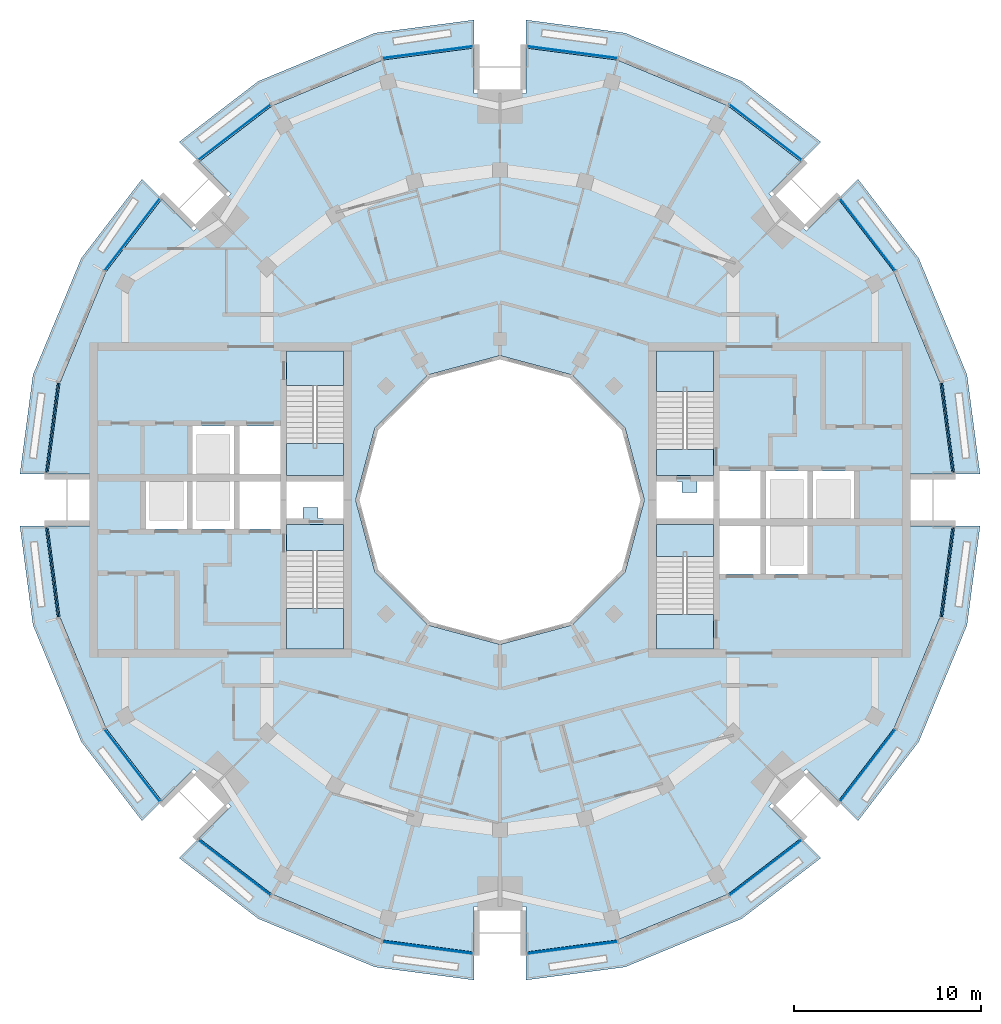
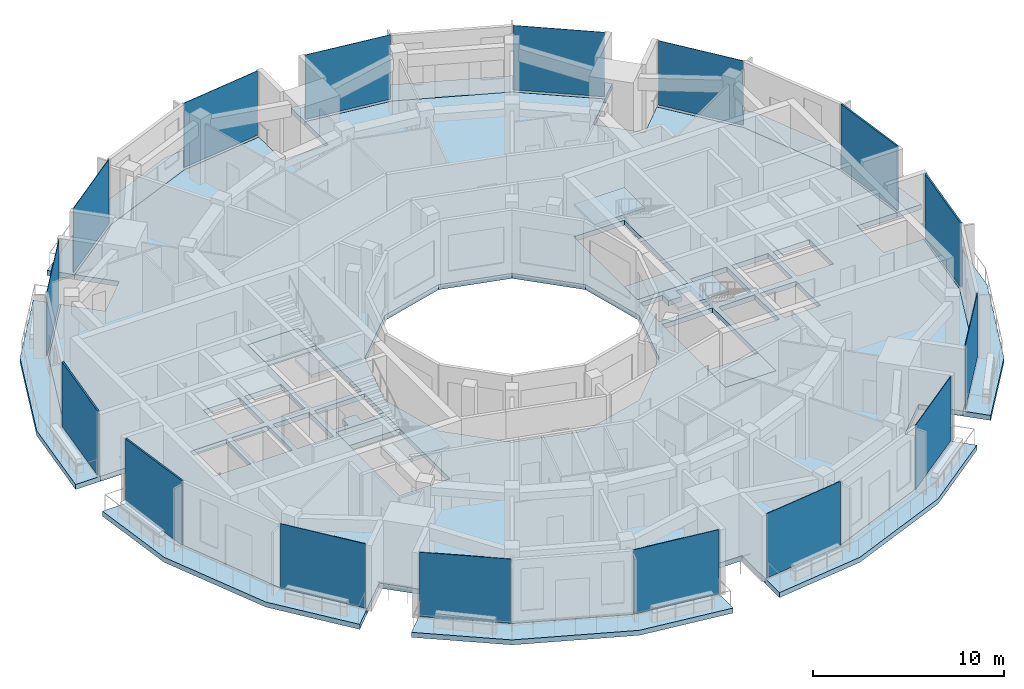
# One storey, part 7 of 17: 17 slabs, 16 plates, 20 elements without a shape of their own.
"""IFC4 building model written with IfcOpenShell, lengths in metres."""

from ifc_helpers import new_model, si_unit, direction, frame, origin, origin_2d, place, context, subcontext, project, spatial, polyline, rectangle, outline, extrude, material, layer, layer_set, type_object, element, aggregate, save


model = new_model("IFC4")

# Units and contexts
model_context = context("Model", 3, precision=1e-05, world=origin(), true_north=direction((0.0, 1.0)))
body_context = subcontext(model_context, "Body", "Model", "MODEL_VIEW")
ifc_project = project(units=[si_unit("LENGTHUNIT", "METRE"), si_unit("AREAUNIT", "SQUARE_METRE"), si_unit("VOLUMEUNIT", "CUBIC_METRE"), si_unit("PLANEANGLEUNIT", "RADIAN"), si_unit("MASSUNIT", "GRAM", prefix="KILO")], contexts=[model_context])

# Site, building, storey
site_placement = place(None, origin())
site = spatial("IfcSite", under=ifc_project, at=site_placement, CompositionType="ELEMENT")
building_placement = place(site_placement, origin())
building = spatial("IfcBuilding", under=site, at=building_placement, Name="Torre Brocal", CompositionType="ELEMENT")
storey_placement = place(building_placement, frame((0.0, 0.0, 275.699951171875)))
storey = spatial("IfcBuildingStorey", under=building, at=storey_placement, Name="L63", CompositionType="ELEMENT", Elevation=275.699951171875)

# Curtain wall, plate
ifc_material_1 = material(Name="Aluminium and glass", Category="aluminium")
ifc_layer_1 = layer(ifc_material_1, 0.199951171875)
ifc_layer_set_1 = layer_set([ifc_layer_1], Name="Aluminium and glass")
curtain_wall_type_1 = type_object("IfcCurtainWallType", Name="CW-1 CURTAIN WALL 4200 HIGH", PredefinedType="NOTDEFINED", material=ifc_layer_set_1)
curtain_wall_1_placement = place(storey_placement, origin())
curtain_wall_1 = element("IfcCurtainWall", 1, at=curtain_wall_1_placement, inside=storey, type_object=curtain_wall_type_1, Name="CW-1 RUN 3", PredefinedType="NOTDEFINED")
ifc_material_2 = material(Name="Glass, dark tinted laminated", Category="glass")
ifc_layer_2 = layer(ifc_material_2, 0.031982421875)
ifc_layer_set_2 = layer_set([ifc_layer_2], Name="Glass, dark tinted laminated")
plate_type_1 = type_object("IfcPlateType", Name="CW-1 GLASS PANEL 32", PredefinedType="CURTAIN_PANEL", material=ifc_layer_set_2)
plate_1_placement = place(storey_placement, frame((99.621337890625, 89.166015625, 0.080078125), z_axis=(0.0, 0.0, 1.0), x_axis=(-0.608761428939, 0.793353340344, 0.0)))
plate_1 = element("IfcPlate", 2, at=plate_1_placement, type_object=plate_type_1, Name="CW1-5 panel 1.1", PredefinedType="CURTAIN_PANEL", context=body_context, shape_type="SweptSolid", body=[
    extrude(rectangle(XDim=4.83740234375, YDim=0.031982421875, at=origin_2d()), origin(), (0.0, 0.0, 1.0), 4.1201171875),
])
aggregate(curtain_wall_1, [plate_1])

curtain_wall_2_placement = place(storey_placement, origin())
curtain_wall_2 = element("IfcCurtainWall", 3, at=curtain_wall_2_placement, inside=storey, type_object=curtain_wall_type_1, Name="CW-1 RUN 4", PredefinedType="NOTDEFINED")
plate_2_placement = place(storey_placement, frame((94.166015625, 94.621337890625, 0.080078125), z_axis=(0.0, 0.0, 1.0), x_axis=(-0.793353340344, 0.608761428939, 0.0)))
plate_2 = element("IfcPlate", 4, at=plate_2_placement, type_object=plate_type_1, Name="CW1-5 panel 1.1", PredefinedType="CURTAIN_PANEL", context=body_context, shape_type="SweptSolid", body=[
    extrude(rectangle(XDim=4.83740234375, YDim=0.031982421875, at=origin_2d()), origin(), (0.0, 0.0, 1.0), 4.1201171875),
])
aggregate(curtain_wall_2, [plate_2])

curtain_wall_3_placement = place(storey_placement, origin())
curtain_wall_3 = element("IfcCurtainWall", 5, at=curtain_wall_3_placement, inside=storey, type_object=curtain_wall_type_1, Name="CW-1 RUN 6", PredefinedType="NOTDEFINED")
plate_3_placement = place(storey_placement, frame((83.857421875, 98.891357421875, 0.080078125), z_axis=(0.0, 0.0, 1.0), x_axis=(-0.991444861387, 0.130526192116, 0.0)))
plate_3 = element("IfcPlate", 6, at=plate_3_placement, type_object=plate_type_1, Name="CW1-5 panel 1.1", PredefinedType="CURTAIN_PANEL", context=body_context, shape_type="SweptSolid", body=[
    extrude(rectangle(XDim=4.83740234375, YDim=0.031982421875, at=origin_2d()), origin(), (0.0, 0.0, 1.0), 4.1201171875),
])
aggregate(curtain_wall_3, [plate_3])

curtain_wall_4_placement = place(storey_placement, origin())
curtain_wall_4 = element("IfcCurtainWall", 7, at=curtain_wall_4_placement, inside=storey, type_object=curtain_wall_type_1, Name="CW-1 RUN 7", PredefinedType="NOTDEFINED")
plate_4_placement = place(storey_placement, frame((76.142578125, 98.891357421875, 0.080078125), z_axis=(0.0, 0.0, 1.0), x_axis=(-0.991444861387, -0.130526192116, 0.0)))
plate_4 = element("IfcPlate", 8, at=plate_4_placement, type_object=plate_type_1, Name="CW1-5 panel 1.1", PredefinedType="CURTAIN_PANEL", context=body_context, shape_type="SweptSolid", body=[
    extrude(rectangle(XDim=4.83740234375, YDim=0.031982421875, at=origin_2d()), origin(), (0.0, 0.0, 1.0), 4.1201171875),
])
aggregate(curtain_wall_4, [plate_4])

curtain_wall_5_placement = place(storey_placement, origin())
curtain_wall_5 = element("IfcCurtainWall", 9, at=curtain_wall_5_placement, inside=storey, type_object=curtain_wall_type_1, Name="CW-1 RUN 9", PredefinedType="NOTDEFINED")
plate_5_placement = place(storey_placement, frame((65.833984375, 94.621337890625, 0.080078125), z_axis=(0.0, 0.0, 1.0), x_axis=(-0.793353340344, -0.608761428939, 0.0)))
plate_5 = element("IfcPlate", 10, at=plate_5_placement, type_object=plate_type_1, Name="CW1-5 panel 1.1", PredefinedType="CURTAIN_PANEL", context=body_context, shape_type="SweptSolid", body=[
    extrude(rectangle(XDim=4.83740234375, YDim=0.031982421875, at=origin_2d()), origin(), (0.0, 0.0, 1.0), 4.1201171875),
])
aggregate(curtain_wall_5, [plate_5])

curtain_wall_6_placement = place(storey_placement, origin())
curtain_wall_6 = element("IfcCurtainWall", 11, at=curtain_wall_6_placement, inside=storey, type_object=curtain_wall_type_1, Name="CW-1 RUN 10", PredefinedType="NOTDEFINED")
plate_6_placement = place(storey_placement, frame((60.378662109375, 89.166015625, 0.080078125), z_axis=(0.0, 0.0, 1.0), x_axis=(-0.608761428939, -0.793353340344, 0.0)))
plate_6 = element("IfcPlate", 12, at=plate_6_placement, type_object=plate_type_1, Name="CW1-5 panel 1.1", PredefinedType="CURTAIN_PANEL", context=body_context, shape_type="SweptSolid", body=[
    extrude(rectangle(XDim=4.83740234375, YDim=0.031982421875, at=origin_2d()), origin(), (0.0, 0.0, 1.0), 4.1201171875),
])
aggregate(curtain_wall_6, [plate_6])

curtain_wall_7_placement = place(storey_placement, origin())
curtain_wall_7 = element("IfcCurtainWall", 13, at=curtain_wall_7_placement, inside=storey, type_object=curtain_wall_type_1, Name="CW-1 RUN 15", PredefinedType="NOTDEFINED")
plate_7_placement = place(storey_placement, frame((60.378662109375, 60.833984375, 0.080078125), z_axis=(0.0, 0.0, 1.0), x_axis=(0.608761428939, -0.793353340344, 0.0)))
plate_7 = element("IfcPlate", 14, at=plate_7_placement, type_object=plate_type_1, Name="CW1-5 panel 1.1", PredefinedType="CURTAIN_PANEL", context=body_context, shape_type="SweptSolid", body=[
    extrude(rectangle(XDim=4.83740234375, YDim=0.031982421875, at=origin_2d()), origin(), (0.0, 0.0, 1.0), 4.1201171875),
])
aggregate(curtain_wall_7, [plate_7])

curtain_wall_8_placement = place(storey_placement, origin())
curtain_wall_8 = element("IfcCurtainWall", 15, at=curtain_wall_8_placement, inside=storey, type_object=curtain_wall_type_1, Name="CW-1 RUN 16", PredefinedType="NOTDEFINED")
plate_8_placement = place(storey_placement, frame((65.833984375, 55.378662109375, 0.080078125), z_axis=(0.0, 0.0, 1.0), x_axis=(0.793353340344, -0.608761428939, 0.0)))
plate_8 = element("IfcPlate", 16, at=plate_8_placement, type_object=plate_type_1, Name="CW1-5 panel 1.1", PredefinedType="CURTAIN_PANEL", context=body_context, shape_type="SweptSolid", body=[
    extrude(rectangle(XDim=4.83740234375, YDim=0.031982421875, at=origin_2d()), origin(), (0.0, 0.0, 1.0), 4.1201171875),
])
aggregate(curtain_wall_8, [plate_8])

curtain_wall_9_placement = place(storey_placement, origin())
curtain_wall_9 = element("IfcCurtainWall", 17, at=curtain_wall_9_placement, inside=storey, type_object=curtain_wall_type_1, Name="CW-1 RUN 18", PredefinedType="NOTDEFINED")
plate_9_placement = place(storey_placement, frame((76.142578125, 51.108642578125, 0.080078125), z_axis=(0.0, 0.0, 1.0), x_axis=(0.991444861387, -0.130526192116, 0.0)))
plate_9 = element("IfcPlate", 18, at=plate_9_placement, type_object=plate_type_1, Name="CW1-5 panel 1.1", PredefinedType="CURTAIN_PANEL", context=body_context, shape_type="SweptSolid", body=[
    extrude(rectangle(XDim=4.83740234375, YDim=0.031982421875, at=origin_2d()), origin(), (0.0, 0.0, 1.0), 4.1201171875),
])
aggregate(curtain_wall_9, [plate_9])

curtain_wall_10_placement = place(storey_placement, origin())
curtain_wall_10 = element("IfcCurtainWall", 19, at=curtain_wall_10_placement, inside=storey, type_object=curtain_wall_type_1, Name="CW-1 RUN 19", PredefinedType="NOTDEFINED")
plate_10_placement = place(storey_placement, frame((83.857421875, 51.108642578125, 0.080078125), z_axis=(0.0, 0.0, 1.0), x_axis=(0.991444861387, 0.130526192116, 0.0)))
plate_10 = element("IfcPlate", 20, at=plate_10_placement, type_object=plate_type_1, Name="CW1-5 panel 1.1", PredefinedType="CURTAIN_PANEL", context=body_context, shape_type="SweptSolid", body=[
    extrude(rectangle(XDim=4.83740234375, YDim=0.031982421875, at=origin_2d()), origin(), (0.0, 0.0, 1.0), 4.1201171875),
])
aggregate(curtain_wall_10, [plate_10])

curtain_wall_11_placement = place(storey_placement, origin())
curtain_wall_11 = element("IfcCurtainWall", 21, at=curtain_wall_11_placement, inside=storey, type_object=curtain_wall_type_1, Name="CW-1 RUN 21", PredefinedType="NOTDEFINED")
plate_11_placement = place(storey_placement, frame((94.166015625, 55.378662109375, 0.080078125), z_axis=(0.0, 0.0, 1.0), x_axis=(0.793353340344, 0.608761428939, 0.0)))
plate_11 = element("IfcPlate", 22, at=plate_11_placement, type_object=plate_type_1, Name="CW1-5 panel 1.1", PredefinedType="CURTAIN_PANEL", context=body_context, shape_type="SweptSolid", body=[
    extrude(rectangle(XDim=4.83740234375, YDim=0.031982421875, at=origin_2d()), origin(), (0.0, 0.0, 1.0), 4.1201171875),
])
aggregate(curtain_wall_11, [plate_11])

curtain_wall_12_placement = place(storey_placement, origin())
curtain_wall_12 = element("IfcCurtainWall", 23, at=curtain_wall_12_placement, inside=storey, type_object=curtain_wall_type_1, Name="CW-1 RUN 22", PredefinedType="NOTDEFINED")
plate_12_placement = place(storey_placement, frame((99.621337890625, 60.833984375, 0.080078125), z_axis=(0.0, 0.0, 1.0), x_axis=(0.608761428939, 0.793353340344, 0.0)))
plate_12 = element("IfcPlate", 24, at=plate_12_placement, type_object=plate_type_1, Name="CW1-5 panel 1.1", PredefinedType="CURTAIN_PANEL", context=body_context, shape_type="SweptSolid", body=[
    extrude(rectangle(XDim=4.83740234375, YDim=0.031982421875, at=origin_2d()), origin(), (0.0, 0.0, 1.0), 4.1201171875),
])
aggregate(curtain_wall_12, [plate_12])

ifc_material_3 = material(Name="Aluminium and glass", Category="aluminium")
ifc_layer_3 = layer(ifc_material_3, 0.199951171875)
ifc_layer_set_3 = layer_set([ifc_layer_3], Name="Aluminium and glass")
curtain_wall_type_2 = type_object("IfcCurtainWallType", Name="CW-1B CURTAIN WALL 4200 HIGH", PredefinedType="NOTDEFINED", material=ifc_layer_set_3)
curtain_wall_13_placement = place(storey_placement, origin())
curtain_wall_13 = element("IfcCurtainWall", 25, at=curtain_wall_13_placement, inside=storey, type_object=curtain_wall_type_2, Name="CW-1B RUN 1", PredefinedType="NOTDEFINED")
ifc_material_4 = material(Name="Aluminium composite panel", Category="aluminium")
ifc_layer_4 = layer(ifc_material_4, 0.10009765625)
ifc_layer_set_4 = layer_set([ifc_layer_4], Name="Aluminium composite panel")
plate_type_2 = type_object("IfcPlateType", Name="CW-1B OPAQUE PANEL 100", PredefinedType="CURTAIN_PANEL", material=ifc_layer_set_4)
plate_13_placement = place(storey_placement, frame((103.891357421875, 78.857421875, 0.080078125), z_axis=(0.0, 0.0, 1.0), x_axis=(-0.130526192116, 0.991444861387, 0.0)))
plate_13 = element("IfcPlate", 26, at=plate_13_placement, type_object=plate_type_2, Name="CW1B-5 panel 1.1", PredefinedType="CURTAIN_PANEL", context=body_context, shape_type="SweptSolid", body=[
    extrude(rectangle(XDim=4.83740234375, YDim=0.10009765625, at=origin_2d()), origin(), (0.0, 0.0, 1.0), 4.1201171875),
])
aggregate(curtain_wall_13, [plate_13])

curtain_wall_14_placement = place(storey_placement, origin())
curtain_wall_14 = element("IfcCurtainWall", 27, at=curtain_wall_14_placement, inside=storey, type_object=curtain_wall_type_2, Name="CW-1B RUN 12", PredefinedType="NOTDEFINED")
plate_14_placement = place(storey_placement, frame((56.108642578125, 78.857421875, 0.080078125), z_axis=(0.0, 0.0, 1.0), x_axis=(-0.130526192116, -0.991444861387, 0.0)))
plate_14 = element("IfcPlate", 28, at=plate_14_placement, type_object=plate_type_2, Name="CW1B-5 panel 1.1", PredefinedType="CURTAIN_PANEL", context=body_context, shape_type="SweptSolid", body=[
    extrude(rectangle(XDim=4.83740234375, YDim=0.10009765625, at=origin_2d()), origin(), (0.0, 0.0, 1.0), 4.1201171875),
])
aggregate(curtain_wall_14, [plate_14])

curtain_wall_15_placement = place(storey_placement, origin())
curtain_wall_15 = element("IfcCurtainWall", 29, at=curtain_wall_15_placement, inside=storey, type_object=curtain_wall_type_2, Name="CW-1B RUN 13", PredefinedType="NOTDEFINED")
plate_15_placement = place(storey_placement, frame((56.108642578125, 71.142578125, 0.080078125), z_axis=(0.0, 0.0, 1.0), x_axis=(0.130526192116, -0.991444861387, 0.0)))
plate_15 = element("IfcPlate", 30, at=plate_15_placement, type_object=plate_type_2, Name="CW1B-5 panel 1.1", PredefinedType="CURTAIN_PANEL", context=body_context, shape_type="SweptSolid", body=[
    extrude(rectangle(XDim=4.83740234375, YDim=0.10009765625, at=origin_2d()), origin(), (0.0, 0.0, 1.0), 4.1201171875),
])
aggregate(curtain_wall_15, [plate_15])

curtain_wall_16_placement = place(storey_placement, origin())
curtain_wall_16 = element("IfcCurtainWall", 31, at=curtain_wall_16_placement, inside=storey, type_object=curtain_wall_type_2, Name="CW-1B RUN 24", PredefinedType="NOTDEFINED")
plate_16_placement = place(storey_placement, frame((103.891357421875, 71.142578125, 0.080078125), z_axis=(0.0, 0.0, 1.0), x_axis=(0.130526192116, 0.991444861387, 0.0)))
plate_16 = element("IfcPlate", 32, at=plate_16_placement, type_object=plate_type_2, Name="CW1B-5 panel 1.1", PredefinedType="CURTAIN_PANEL", context=body_context, shape_type="SweptSolid", body=[
    extrude(rectangle(XDim=4.83740234375, YDim=0.10009765625, at=origin_2d()), origin(), (0.0, 0.0, 1.0), 4.1201171875),
])
aggregate(curtain_wall_16, [plate_16])

# Stair, slab
ifc_material_5 = material(Name="Concrete C50", Category="concrete")
stair_type = type_object("IfcStairType", Name="EXIT STAIR", PredefinedType="HALF_TURN_STAIR", material=ifc_material_5)
stair_1_placement = place(storey_placement, origin())
stair_1 = element("IfcStair", 33, at=stair_1_placement, inside=storey, type_object=stair_type, Name="EXIT STAIR ST1", PredefinedType="HALF_TURN_STAIR")
ifc_material_6 = material(Name="Concrete C50", Category="concrete")
ifc_layer_5 = layer(ifc_material_6, 0.320068359375)
ifc_layer_set_5 = layer_set([ifc_layer_5], Name="Concrete C50")
slab_type_1 = type_object("IfcSlabType", Name="FLOOR LANDING 320", PredefinedType="LANDING", material=ifc_layer_set_5)
slab_1_placement = place(storey_placement, frame((0.0, 0.0, -0.320068359375)))
slab_1 = element("IfcSlab", 34, at=slab_1_placement, type_object=slab_type_1, Name="ST1 landing 1", PredefinedType="LANDING", context=body_context, shape_type="SweptSolid", body=[
    extrude(outline(polyline([(88.35009765625, 76.300048828125), (91.39990234375, 76.300048828125), (91.39990234375, 77.699951171875), (88.35009765625, 77.699951171875), (88.35009765625, 76.300048828125)])), origin(), (0.0, 0.0, 1.0), 0.320068359375),
])

stair_2_placement = place(storey_placement, origin())
stair_2 = element("IfcStair", 35, at=stair_2_placement, inside=storey, type_object=stair_type, Name="EXIT STAIR ST2", PredefinedType="HALF_TURN_STAIR")
slab_2_placement = place(storey_placement, frame((0.0, 0.0, -0.320068359375)))
slab_2 = element("IfcSlab", 36, at=slab_2_placement, type_object=slab_type_1, Name="ST2 landing 1", PredefinedType="LANDING", context=body_context, shape_type="SweptSolid", body=[
    extrude(outline(polyline([(88.35009765625, 67.050048828125), (91.39990234375, 67.050048828125), (91.39990234375, 68.89990234375), (88.35009765625, 68.89990234375), (88.35009765625, 67.050048828125)])), origin(), (0.0, 0.0, 1.0), 0.320068359375),
])

stair_3_placement = place(storey_placement, origin())
stair_3 = element("IfcStair", 37, at=stair_3_placement, inside=storey, type_object=stair_type, Name="EXIT STAIR ST3", PredefinedType="HALF_TURN_STAIR")
slab_3_placement = place(storey_placement, frame((0.0, 0.0, -0.320068359375)))
slab_3 = element("IfcSlab", 38, at=slab_3_placement, type_object=slab_type_1, Name="ST3 landing 1", PredefinedType="LANDING", context=body_context, shape_type="SweptSolid", body=[
    extrude(outline(polyline([(71.64990234375, 73.699951171875), (68.60009765625, 73.699951171875), (68.60009765625, 72.300048828125), (71.64990234375, 72.300048828125), (71.64990234375, 73.699951171875)])), origin(), (0.0, 0.0, 1.0), 0.320068359375),
])

stair_4_placement = place(storey_placement, origin())
stair_4 = element("IfcStair", 39, at=stair_4_placement, inside=storey, type_object=stair_type, Name="EXIT STAIR ST4", PredefinedType="HALF_TURN_STAIR")
slab_4_placement = place(storey_placement, frame((0.0, 0.0, -0.320068359375)))
slab_4 = element("IfcSlab", 40, at=slab_4_placement, type_object=slab_type_1, Name="ST4 landing 1", PredefinedType="LANDING", context=body_context, shape_type="SweptSolid", body=[
    extrude(outline(polyline([(71.64990234375, 82.949951171875), (68.60009765625, 82.949951171875), (68.60009765625, 81.10009765625), (71.64990234375, 81.10009765625), (71.64990234375, 82.949951171875)])), origin(), (0.0, 0.0, 1.0), 0.320068359375),
])

# Slab
ifc_material_7 = material(Name="Concrete C50", Category="concrete")
ifc_layer_6 = layer(ifc_material_7, 0.199951171875)
ifc_layer_set_6 = layer_set([ifc_layer_6], Name="Concrete C50")
slab_type_2 = type_object("IfcSlabType", Name="MID LANDING +2100", PredefinedType="LANDING", material=ifc_layer_set_6)
slab_5_placement = place(storey_placement, frame((0.0, 0.0, 1.900146484375)))
slab_5 = element("IfcSlab", 41, at=slab_5_placement, type_object=slab_type_2, Name="ST1 landing 2", PredefinedType="LANDING", context=body_context, shape_type="SweptSolid", body=[
    extrude(outline(polyline([(88.35009765625, 80.780029296875), (91.39990234375, 80.780029296875), (91.39990234375, 82.949951171875), (88.35009765625, 82.949951171875), (88.35009765625, 80.780029296875)])), origin(), (0.0, 0.0, 1.0), 0.199951171875),
])

aggregate(stair_1, [slab_1, slab_5])

slab_6_placement = place(storey_placement, frame((0.0, 0.0, 1.900146484375)))
slab_6 = element("IfcSlab", 42, at=slab_6_placement, type_object=slab_type_2, Name="ST2 landing 2", PredefinedType="LANDING", context=body_context, shape_type="SweptSolid", body=[
    extrude(outline(polyline([(88.35009765625, 71.97998046875), (91.39990234375, 71.97998046875), (91.39990234375, 73.699951171875), (88.35009765625, 73.699951171875), (88.35009765625, 71.97998046875)])), origin(), (0.0, 0.0, 1.0), 0.199951171875),
])

aggregate(stair_2, [slab_2, slab_6])

slab_7_placement = place(storey_placement, frame((0.0, 0.0, 1.900146484375)))
slab_7 = element("IfcSlab", 43, at=slab_7_placement, type_object=slab_type_2, Name="ST3 landing 2", PredefinedType="LANDING", context=body_context, shape_type="SweptSolid", body=[
    extrude(outline(polyline([(71.64990234375, 69.219970703125), (68.60009765625, 69.219970703125), (68.60009765625, 67.050048828125), (71.64990234375, 67.050048828125), (71.64990234375, 69.219970703125)])), origin(), (0.0, 0.0, 1.0), 0.199951171875),
])

aggregate(stair_3, [slab_3, slab_7])

slab_8_placement = place(storey_placement, frame((0.0, 0.0, 1.900146484375)))
slab_8 = element("IfcSlab", 44, at=slab_8_placement, type_object=slab_type_2, Name="ST4 landing 2", PredefinedType="LANDING", context=body_context, shape_type="SweptSolid", body=[
    extrude(outline(polyline([(71.64990234375, 78.02001953125), (68.60009765625, 78.02001953125), (68.60009765625, 76.300048828125), (71.64990234375, 76.300048828125), (71.64990234375, 78.02001953125)])), origin(), (0.0, 0.0, 1.0), 0.199951171875),
])

aggregate(stair_4, [slab_4, slab_8])

# Slabs
ifc_material_8 = material(Name="Concrete C45", Category="concrete")
ifc_layer_7 = layer(ifc_material_8, 0.320068359375)
ifc_layer_set_7 = layer_set([ifc_layer_7], Name="Concrete C45")
slab_type_3 = type_object("IfcSlabType", Name="PT FLOOR SLAB 320 C45", PredefinedType="FLOOR", material=ifc_layer_set_7)
slab_9_placement = place(storey_placement, frame((0.0, 0.0, -0.320068359375)))
element("IfcSlab", 45, at=slab_9_placement, inside=storey, type_object=slab_type_3, Name="Slab ST-05", PredefinedType="FLOOR", context=body_context, shape_type="SweptSolid", body=[
    extrude(outline(polyline([(101.699951171875, 76.39990234375), (101.699951171875, 73.60009765625), (104.114013671875, 73.60009765625), (103.47021484375, 68.711181640625), (101.04296875, 62.850830078125), (98.041015625, 58.938720703125), (96.334228515625, 60.645751953125), (94.354248046875, 58.665771484375), (96.061279296875, 56.958984375), (92.149169921875, 53.95703125), (86.288818359375, 51.52978515625), (81.39990234375, 50.885986328125), (81.39990234375, 53.300048828125), (78.60009765625, 53.300048828125), (78.60009765625, 50.885986328125), (73.711181640625, 51.52978515625), (67.850830078125, 53.95703125), (63.938720703125, 56.958984375), (65.645751953125, 58.665771484375), (63.665771484375, 60.645751953125), (61.958984375, 58.938720703125), (58.95703125, 62.850830078125), (56.52978515625, 68.711181640625), (55.885986328125, 73.60009765625), (58.300048828125, 73.60009765625), (58.300048828125, 76.39990234375), (55.885986328125, 76.39990234375), (56.52978515625, 81.288818359375), (58.95703125, 87.149169921875), (61.958984375, 91.061279296875), (63.665771484375, 89.354248046875), (65.645751953125, 91.334228515625), (63.938720703125, 93.041015625), (67.850830078125, 96.04296875), (73.711181640625, 98.47021484375), (78.60009765625, 99.114013671875), (78.60009765625, 96.699951171875), (81.39990234375, 96.699951171875), (81.39990234375, 99.114013671875), (86.288818359375, 98.47021484375), (92.149169921875, 96.04296875), (96.061279296875, 93.041015625), (94.354248046875, 91.334228515625), (96.334228515625, 89.354248046875), (98.041015625, 91.061279296875), (101.04296875, 87.149169921875), (103.47021484375, 81.288818359375), (104.114013671875, 76.39990234375), (101.699951171875, 76.39990234375)]), holes=[polyline([(98.89990234375, 76.550048828125), (96.699951171875, 76.550048828125), (96.699951171875, 74.0), (98.89990234375, 74.0), (98.89990234375, 76.550048828125)]), polyline([(96.39990234375, 76.550048828125), (94.199951171875, 76.550048828125), (94.199951171875, 74.0), (96.39990234375, 74.0), (96.39990234375, 76.550048828125)]), polyline([(96.39990234375, 73.60009765625), (94.199951171875, 73.60009765625), (94.199951171875, 71.050048828125), (96.39990234375, 71.050048828125), (96.39990234375, 73.60009765625)]), polyline([(93.89990234375, 76.550048828125), (91.699951171875, 76.550048828125), (91.699951171875, 74.0), (93.89990234375, 74.0), (93.89990234375, 76.550048828125)]), polyline([(93.89990234375, 73.60009765625), (91.699951171875, 73.60009765625), (91.699951171875, 71.050048828125), (93.89990234375, 71.050048828125), (93.89990234375, 73.60009765625)]), polyline([(89.699951171875, 76.0), (88.35009765625, 76.0), (88.35009765625, 74.0), (91.39990234375, 74.0), (91.39990234375, 76.0), (90.5, 76.0), (90.5, 75.39990234375), (89.699951171875, 75.39990234375), (89.699951171875, 76.0)]), polyline([(91.39990234375, 82.949951171875), (88.35009765625, 82.949951171875), (88.35009765625, 76.300048828125), (91.39990234375, 76.300048828125), (91.39990234375, 82.949951171875)]), polyline([(91.39990234375, 73.699951171875), (88.35009765625, 73.699951171875), (88.35009765625, 67.050048828125), (91.39990234375, 67.050048828125), (91.39990234375, 73.699951171875)]), polyline([(80.0, 82.70703125), (76.146484375, 81.674560546875), (73.325439453125, 78.853515625), (72.29296875, 75.0), (73.325439453125, 71.146484375), (76.146484375, 68.325439453125), (80.0, 67.29296875), (83.853515625, 68.325439453125), (86.674560546875, 71.146484375), (87.70703125, 75.0), (86.674560546875, 78.853515625), (83.853515625, 81.674560546875), (80.0, 82.70703125)]), polyline([(70.300048828125, 74.0), (71.64990234375, 74.0), (71.64990234375, 76.0), (68.60009765625, 76.0), (68.60009765625, 74.0), (69.5, 74.0), (69.5, 74.60009765625), (70.300048828125, 74.60009765625), (70.300048828125, 74.0)]), polyline([(68.60009765625, 76.300048828125), (71.64990234375, 76.300048828125), (71.64990234375, 82.949951171875), (68.60009765625, 82.949951171875), (68.60009765625, 76.300048828125)]), polyline([(68.60009765625, 67.050048828125), (71.64990234375, 67.050048828125), (71.64990234375, 73.699951171875), (68.60009765625, 73.699951171875), (68.60009765625, 67.050048828125)]), polyline([(66.10009765625, 76.39990234375), (68.300048828125, 76.39990234375), (68.300048828125, 78.949951171875), (66.10009765625, 78.949951171875), (66.10009765625, 76.39990234375)]), polyline([(66.10009765625, 73.449951171875), (68.300048828125, 73.449951171875), (68.300048828125, 76.0), (66.10009765625, 76.0), (66.10009765625, 73.449951171875)]), polyline([(63.60009765625, 76.39990234375), (65.800048828125, 76.39990234375), (65.800048828125, 78.949951171875), (63.60009765625, 78.949951171875), (63.60009765625, 76.39990234375)]), polyline([(63.60009765625, 73.449951171875), (65.800048828125, 73.449951171875), (65.800048828125, 76.0), (63.60009765625, 76.0), (63.60009765625, 73.449951171875)]), polyline([(61.10009765625, 73.449951171875), (63.300048828125, 73.449951171875), (63.300048828125, 76.0), (61.10009765625, 76.0), (61.10009765625, 73.449951171875)])]), origin(), (0.0, 0.0, 1.0), 0.320068359375),
])
ifc_material_9 = material(Name="Concrete C45", Category="concrete")
ifc_layer_8 = layer(ifc_material_9, 0.320068359375)
ifc_layer_set_8 = layer_set([ifc_layer_8], Name="Concrete C45")
slab_type_4 = type_object("IfcSlabType", Name="PT TERRACE SLAB 320 C45", PredefinedType="ROOF", material=ifc_layer_set_8)
slab_10_placement = place(storey_placement, frame((0.0, 0.0, -0.320068359375)))
element("IfcSlab", 46, at=slab_10_placement, inside=storey, type_object=slab_type_4, Name="Slab ST-06", PredefinedType="ROOF", context=body_context, shape_type="SweptSolid", body=[
    extrude(outline(polyline([(73.711181640625, 51.52978515625), (78.60009765625, 50.885986328125), (78.60009765625, 49.385986328125), (73.322998046875, 50.080810546875), (67.100830078125, 52.657958984375), (62.878173828125, 55.898193359375), (63.938720703125, 56.958984375), (67.850830078125, 53.95703125), (73.711181640625, 51.52978515625)])), origin(), (0.0, 0.0, 1.0), 0.320068359375),
])
slab_11_placement = place(storey_placement, frame((0.0, 0.0, -0.320068359375)))
element("IfcSlab", 47, at=slab_11_placement, inside=storey, type_object=slab_type_4, Name="Slab ST-06", PredefinedType="ROOF", context=body_context, shape_type="SweptSolid", body=[
    extrude(outline(polyline([(81.39990234375, 50.885986328125), (86.288818359375, 51.52978515625), (92.149169921875, 53.95703125), (96.061279296875, 56.958984375), (97.121826171875, 55.898193359375), (92.899169921875, 52.657958984375), (86.677001953125, 50.080810546875), (81.39990234375, 49.385986328125), (81.39990234375, 50.885986328125)])), origin(), (0.0, 0.0, 1.0), 0.320068359375),
])
slab_12_placement = place(storey_placement, frame((0.0, 0.0, -0.320068359375)))
element("IfcSlab", 48, at=slab_12_placement, inside=storey, type_object=slab_type_4, Name="Slab ST-06", PredefinedType="ROOF", context=body_context, shape_type="SweptSolid", body=[
    extrude(outline(polyline([(56.52978515625, 68.711181640625), (58.95703125, 62.850830078125), (61.958984375, 58.938720703125), (60.898193359375, 57.878173828125), (57.657958984375, 62.100830078125), (55.080810546875, 68.322998046875), (54.385986328125, 73.60009765625), (55.885986328125, 73.60009765625), (56.52978515625, 68.711181640625)])), origin(), (0.0, 0.0, 1.0), 0.320068359375),
])
slab_13_placement = place(storey_placement, frame((0.0, 0.0, -0.320068359375)))
element("IfcSlab", 49, at=slab_13_placement, inside=storey, type_object=slab_type_4, Name="Slab ST-06", PredefinedType="ROOF", context=body_context, shape_type="SweptSolid", body=[
    extrude(outline(polyline([(103.47021484375, 68.711181640625), (104.114013671875, 73.60009765625), (105.614013671875, 73.60009765625), (104.919189453125, 68.322998046875), (102.342041015625, 62.100830078125), (99.101806640625, 57.878173828125), (98.041015625, 58.938720703125), (101.04296875, 62.850830078125), (103.47021484375, 68.711181640625)])), origin(), (0.0, 0.0, 1.0), 0.320068359375),
])
slab_14_placement = place(storey_placement, frame((0.0, 0.0, -0.320068359375)))
element("IfcSlab", 50, at=slab_14_placement, inside=storey, type_object=slab_type_4, Name="Slab ST-06", PredefinedType="ROOF", context=body_context, shape_type="SweptSolid", body=[
    extrude(outline(polyline([(58.95703125, 87.149169921875), (56.52978515625, 81.288818359375), (55.885986328125, 76.39990234375), (54.385986328125, 76.39990234375), (55.080810546875, 81.677001953125), (57.657958984375, 87.899169921875), (60.898193359375, 92.121826171875), (61.958984375, 91.061279296875), (58.95703125, 87.149169921875)])), origin(), (0.0, 0.0, 1.0), 0.320068359375),
])
slab_15_placement = place(storey_placement, frame((0.0, 0.0, -0.320068359375)))
element("IfcSlab", 51, at=slab_15_placement, inside=storey, type_object=slab_type_4, Name="Slab ST-06", PredefinedType="ROOF", context=body_context, shape_type="SweptSolid", body=[
    extrude(outline(polyline([(98.041015625, 91.061279296875), (99.101806640625, 92.121826171875), (102.342041015625, 87.899169921875), (104.919189453125, 81.677001953125), (105.614013671875, 76.39990234375), (104.114013671875, 76.39990234375), (103.47021484375, 81.288818359375), (101.04296875, 87.149169921875), (98.041015625, 91.061279296875)])), origin(), (0.0, 0.0, 1.0), 0.320068359375),
])
slab_16_placement = place(storey_placement, frame((0.0, 0.0, -0.320068359375)))
element("IfcSlab", 52, at=slab_16_placement, inside=storey, type_object=slab_type_4, Name="Slab ST-06", PredefinedType="ROOF", context=body_context, shape_type="SweptSolid", body=[
    extrude(outline(polyline([(67.850830078125, 96.04296875), (63.938720703125, 93.041015625), (62.878173828125, 94.101806640625), (67.100830078125, 97.342041015625), (73.322998046875, 99.919189453125), (78.60009765625, 100.614013671875), (78.60009765625, 99.114013671875), (73.711181640625, 98.47021484375), (67.850830078125, 96.04296875)])), origin(), (0.0, 0.0, 1.0), 0.320068359375),
])
slab_17_placement = place(storey_placement, frame((0.0, 0.0, -0.320068359375)))
element("IfcSlab", 53, at=slab_17_placement, inside=storey, type_object=slab_type_4, Name="Slab ST-06", PredefinedType="ROOF", context=body_context, shape_type="SweptSolid", body=[
    extrude(outline(polyline([(86.288818359375, 98.47021484375), (81.39990234375, 99.114013671875), (81.39990234375, 100.614013671875), (86.677001953125, 99.919189453125), (92.899169921875, 97.342041015625), (97.121826171875, 94.101806640625), (96.061279296875, 93.041015625), (92.149169921875, 96.04296875), (86.288818359375, 98.47021484375)])), origin(), (0.0, 0.0, 1.0), 0.320068359375),
])

save(model, "model.ifc")
